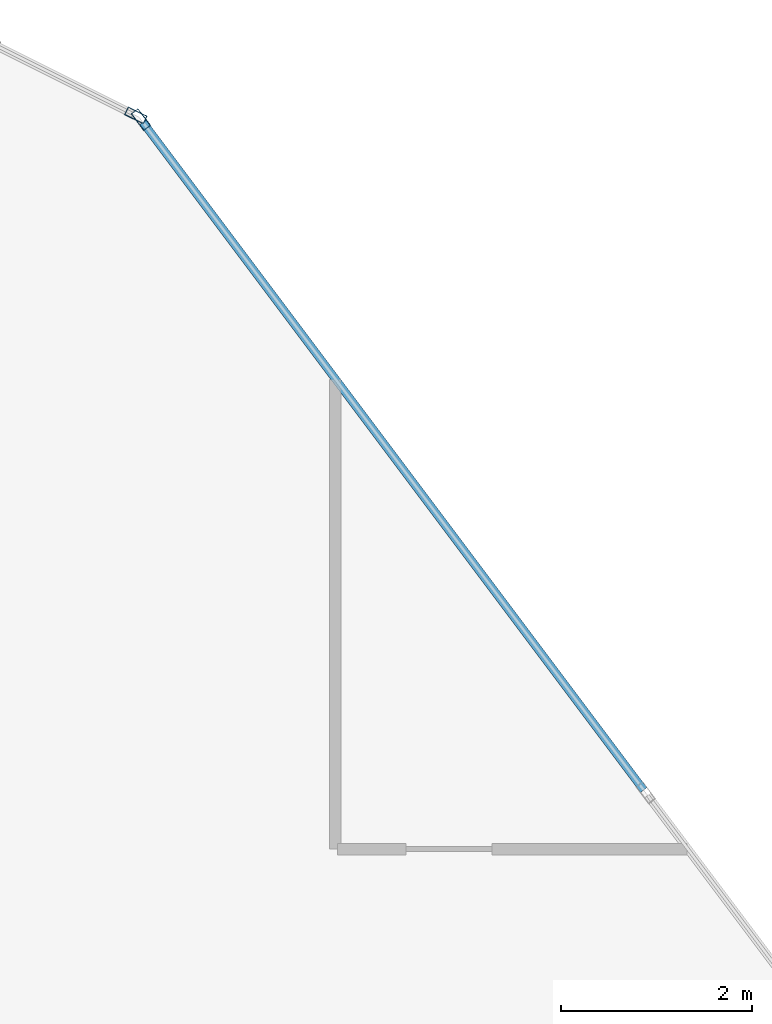
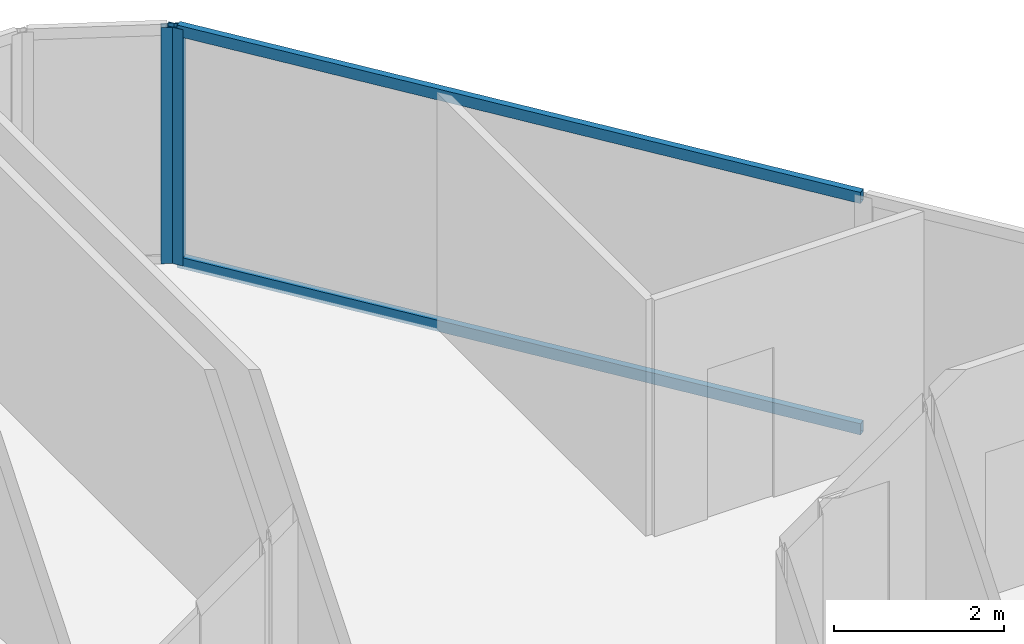
# One storey, part 17 of 33: 4 members, 2 elements without a shape of their own.
"""IFC4 building model written with IfcOpenShell, lengths in metres."""

import ifcopenshell
import ifcopenshell.guid

model = None  # the IFC model being written
_history = None  # IfcOwnerHistory: only IFC2X3 demands one
_inside = {}  # id of a spatial element -> (the spatial element, [elements in it])
_under = {}  # id of a project, library or spatial element -> (it, [spatial elements below it])
_declared = {}  # id of a project -> (the project, [libraries it declares])
_typed = {}  # id of a type object -> (the type object, [elements of that type])
_made_of = {}  # id of a material, layer set ... -> (it, [elements and type objects made of it])


def new_model(schema):
    """Start an empty IFC model of exactly this schema.

    Asked for "IFC4X3", IfcOpenShell would pick the latest addendum, in which some entities
    have other attributes; the version numbers below select the first issue.
    IFC2X3 requires an IfcOwnerHistory on every rooted entity: one is made here for all.
    """
    global model, _history
    if schema == "IFC4X3":
        model = ifcopenshell.file(schema_version=(4, 3, 0, 0))
    else:
        model = ifcopenshell.file(schema=schema)
    _inside.clear()
    _under.clear()
    _declared.clear()
    _typed.clear()
    _made_of.clear()
    _history = None
    if model.schema == "IFC2X3":
        org = make("IfcOrganization", Name="unknown")
        user = make(
            "IfcPersonAndOrganization",
            ThePerson=make("IfcPerson", FamilyName="unknown"),
            TheOrganization=org,
        )
        app = make(
            "IfcApplication",
            ApplicationDeveloper=org,
            Version="unknown",
            ApplicationFullName="unknown",
            ApplicationIdentifier="unknown",
        )
        _history = make(
            "IfcOwnerHistory",
            OwningUser=user,
            OwningApplication=app,
            ChangeAction="ADDED",
            CreationDate=0,
        )
    return model


def make(cls, **values):
    """One entity of the class cls with the attributes given. An attribute that is None is left unset."""
    return model.create_entity(
        cls, **{name: value for name, value in values.items() if value is not None}
    )


def rooted(cls, **values):
    """An entity with a GlobalId (a new one), such as an element, a storey or a relation."""
    return make(cls, GlobalId=ifcopenshell.guid.new(), OwnerHistory=_history, **values)


def si_unit(unit_type, name, prefix=None):
    """IfcSIUnit, for example si_unit("LENGTHUNIT", "METRE", prefix="MILLI")."""
    return make("IfcSIUnit", UnitType=unit_type, Prefix=prefix, Name=name)


def assignment(units):
    """IfcUnitAssignment: the units of a project."""
    return None if units is None else make("IfcUnitAssignment", Units=units)


def point(xyz):
    """IfcCartesianPoint."""
    return None if xyz is None else make("IfcCartesianPoint", Coordinates=xyz)


def direction(xyz):
    """IfcDirection."""
    return None if xyz is None else make("IfcDirection", DirectionRatios=xyz)


def frame(location, z_axis=None, x_axis=None):
    """IfcAxis2Placement3D, a coordinate frame: its origin and axes. An axis left out is left unset."""
    return make(
        "IfcAxis2Placement3D",
        Location=point(location),
        Axis=direction(z_axis),
        RefDirection=direction(x_axis),
    )


def frame_2d(location, x_axis=None):
    """IfcAxis2Placement2D, a coordinate frame in the plane: its origin and x axis."""
    return make(
        "IfcAxis2Placement2D", Location=point(location), RefDirection=direction(x_axis)
    )


def origin():
    """The frame at (0, 0, 0) with its axes left unset."""
    return frame((0.0, 0.0, 0.0))


def origin_2d():
    """The frame at (0, 0) in the plane with its x axis left unset."""
    return frame_2d((0.0, 0.0))


def place(relative_to, where):
    """IfcLocalPlacement: puts the frame where relative to a parent placement (None: the world)."""
    return make(
        "IfcLocalPlacement", PlacementRelTo=relative_to, RelativePlacement=where
    )


def context(
    kind, dimensions, precision=None, world=None, true_north=None, identifier=None
):
    """IfcGeometricRepresentationContext, for example the 3D "Model" context."""
    return make(
        "IfcGeometricRepresentationContext",
        ContextIdentifier=identifier,
        ContextType=kind,
        CoordinateSpaceDimension=dimensions,
        Precision=precision,
        WorldCoordinateSystem=world,
        TrueNorth=true_north,
    )


def subcontext(parent, identifier, kind, view, scale=None):
    """IfcGeometricRepresentationSubContext, for example "Body" below "Model"."""
    return make(
        "IfcGeometricRepresentationSubContext",
        ContextIdentifier=identifier,
        ContextType=kind,
        ParentContext=parent,
        TargetScale=scale,
        TargetView=view,
    )


def project(units=None, contexts=None):
    """IfcProject with its units and contexts."""
    return rooted(
        "IfcProject",
        Name="project",
        RepresentationContexts=contexts,
        UnitsInContext=assignment(units),
    )


def spatial(cls, under=None, at=None, **own):
    """A site, building, storey or space (cls), placed at a placement, below another one or the project."""
    s = rooted(cls, ObjectPlacement=at, **own)
    if under is not None:
        _under.setdefault(under.id(), (under, []))[1].append(s)
    return s


def profile(cls, at=None, kind="AREA", **sizes):
    """A parametric profile (cls). Its sizes go by their IFC names, for example OverallWidth=200.0."""
    return make(cls, ProfileType=kind, Position=at, **sizes)


def hollow_rectangle(**sizes):
    """IfcRectangleHollowProfileDef."""
    return profile("IfcRectangleHollowProfileDef", **sizes)


def extrude(swept, where, along, depth):
    """IfcExtrudedAreaSolid: the profile swept, set in the frame where, extruded along a direction by depth."""
    return make(
        "IfcExtrudedAreaSolid",
        SweptArea=swept,
        Position=where,
        ExtrudedDirection=direction(along),
        Depth=depth,
    )


def shape(context_of_items, identifier, shape_type, items):
    """IfcShapeRepresentation: the items that make up one representation, for example the "Body"."""
    return make(
        "IfcShapeRepresentation",
        ContextOfItems=context_of_items,
        RepresentationIdentifier=identifier,
        RepresentationType=shape_type,
        Items=items,
    )


def material(Name=None, Category=None):
    """IfcMaterial."""
    return make("IfcMaterial", Name=Name, Category=Category)


def layer(
    of_material, thickness, ventilated=None, Name=None, Category=None, Priority=None
):
    """IfcMaterialLayer: one layer of a wall or slab, of a material (None: an air gap)."""
    return make(
        "IfcMaterialLayer",
        Material=of_material,
        LayerThickness=thickness,
        IsVentilated=ventilated,
        Name=Name,
        Category=Category,
        Priority=Priority,
    )


def layer_set(layers, Name=None):
    """IfcMaterialLayerSet."""
    return make("IfcMaterialLayerSet", MaterialLayers=layers, LayerSetName=Name)


def material_profile(
    of_material, cross_section, Name=None, Category=None, Priority=None
):
    """IfcMaterialProfile: a cross section and its material."""
    return make(
        "IfcMaterialProfile",
        Name=Name,
        Material=of_material,
        Profile=cross_section,
        Priority=Priority,
        Category=Category,
    )


def profile_set(profiles, Name=None, composite=None):
    """IfcMaterialProfileSet."""
    return make(
        "IfcMaterialProfileSet",
        Name=Name,
        MaterialProfiles=profiles,
        CompositeProfile=composite,
    )


def made_of(thing, what):
    """Note that an element or type object is made of a material, layer set ...; save() writes the relation."""
    if what is not None:
        _made_of.setdefault(what.id(), (what, []))[1].append(thing)
    return thing


def type_object(cls, material=None, **own):
    """A type object (cls), such as IfcWallType, which elements share."""
    return made_of(rooted(cls, **own), material)


def element(
    cls,
    number,
    at=None,
    inside=None,
    cuts=None,
    type_object=None,
    material=None,
    context=None,
    identifier="Body",
    shape_type=None,
    held_by="IfcProductDefinitionShape",
    body=None,
    shapes=None,
    **own,
):
    """One element of the class cls, such as IfcWall. Its Tag is "e" and its number.

    at: its placement. inside: the storey or other place that contains it. cuts: it is an
    opening in that element (IfcRelVoidsElement). A single representation is given by context,
    identifier, shape_type and body (its items); several are given by shapes. held_by: the class
    of the entity that holds the representations. save() writes the other relations.
    """
    e = rooted(cls, Tag="e%d" % number, ObjectPlacement=at, **own)
    if body is not None:
        shapes = [shape(context, identifier, shape_type, body)]
    if shapes is not None:
        e.Representation = make(held_by, Representations=shapes)
    if inside is not None:
        _inside.setdefault(inside.id(), (inside, []))[1].append(e)
    if cuts is not None:
        rooted(
            "IfcRelVoidsElement", RelatingBuildingElement=cuts, RelatedOpeningElement=e
        )
    if type_object is not None:
        _typed.setdefault(type_object.id(), (type_object, []))[1].append(e)
    return made_of(e, material)


def aggregate(whole, parts):
    """IfcRelAggregates: a whole, such as a stair, and the parts it consists of."""
    return rooted("IfcRelAggregates", RelatingObject=whole, RelatedObjects=parts)


def save(model, path):
    """Write the relations noted so far, then the file.

    IfcRelAggregates (storeys below a building ...), IfcRelContainedInSpatialStructure (elements
    in a storey), IfcRelDefinesByType, IfcRelAssociatesMaterial and IfcRelDeclares: one each for
    every whole, place, type object, material and project.
    """
    for whole, parts in _under.values():
        aggregate(whole, parts)
    for where, things in _inside.values():
        rooted(
            "IfcRelContainedInSpatialStructure",
            RelatedElements=things,
            RelatingStructure=where,
        )
    for kind, things in _typed.values():
        rooted("IfcRelDefinesByType", RelatedObjects=things, RelatingType=kind)
    for what, things in _made_of.values():
        rooted("IfcRelAssociatesMaterial", RelatedObjects=things, RelatingMaterial=what)
    for by, libraries in _declared.values():
        rooted("IfcRelDeclares", RelatingContext=by, RelatedDefinitions=libraries)
    model.write(path)


model = new_model("IFC4")

# Units and contexts
model_context = context("Model", 3, precision=1e-05, world=origin(), true_north=direction((0.0, 1.0)))
body_context = subcontext(model_context, "Body", "Model", "MODEL_VIEW")
ifc_project = project(units=[si_unit("LENGTHUNIT", "METRE"), si_unit("AREAUNIT", "SQUARE_METRE"), si_unit("VOLUMEUNIT", "CUBIC_METRE"), si_unit("PLANEANGLEUNIT", "RADIAN"), si_unit("MASSUNIT", "GRAM", prefix="KILO")], contexts=[model_context])

# Site, building, storey
site_placement = place(None, origin())
site = spatial("IfcSite", under=ifc_project, at=site_placement, CompositionType="ELEMENT")
building_placement = place(site_placement, origin())
building = spatial("IfcBuilding", under=site, at=building_placement, Name="Keshet Zoharim Tower", CompositionType="ELEMENT")
storey_placement = place(building_placement, frame((0.0, 0.0, 42.5)))
storey = spatial("IfcBuildingStorey", under=building, at=storey_placement, Name="L09", CompositionType="ELEMENT", Elevation=42.5)

# Curtain wall, member
ifc_material = material(Name="Aluminium 6063-T6", Category="aluminium")
ifc_layer = layer(ifc_material, 0.169921875)
ifc_layer_set = layer_set([ifc_layer], Name="Aluminium 6063-T6")
curtain_wall_type = type_object("IfcCurtainWallType", Name="CW-SYS-02", PredefinedType="NOTDEFINED", material=ifc_layer_set)
curtain_wall_1_placement = place(storey_placement, origin())
curtain_wall_1 = element("IfcCurtainWall", 1, at=curtain_wall_1_placement, inside=storey, type_object=curtain_wall_type, Name="L09 Unitised Curtain Wall 08", PredefinedType="NOTDEFINED")
ifc_material_profile_1 = material_profile(ifc_material, hollow_rectangle(XDim=0.090087890625, YDim=0.219970703125, WallThickness=0.0048828125, at=origin_2d()), Name="MUL-90x220")
ifc_profile_set_1 = profile_set([ifc_material_profile_1], Name="Aluminium 6063-T6")
member_type_1 = type_object("IfcMemberType", Name="CWM-M22", PredefinedType="MULLION", material=ifc_profile_set_1)
member_1_placement = place(storey_placement, frame((51.568603515625, 53.11572265625, 0.0), z_axis=(0.0, 0.0, 1.0), x_axis=(0.447213595499, 0.894427191001, 0.0)))
member_1 = element("IfcMember", 2, at=member_1_placement, type_object=member_type_1, Name="CW-02 mullion 2", PredefinedType="MULLION", context=body_context, shape_type="SweptSolid", body=[
    extrude(hollow_rectangle(XDim=0.090087890625, YDim=0.219970703125, WallThickness=0.0048828125, at=origin_2d()), origin(), (0.0, 0.0, 1.0), 3.385009765625),
])
aggregate(curtain_wall_1, [member_1])

# Curtain wall, members
curtain_wall_2_placement = place(storey_placement, origin())
curtain_wall_2 = element("IfcCurtainWall", 3, at=curtain_wall_2_placement, inside=storey, type_object=curtain_wall_type, Name="L09 Unitised Curtain Wall 09", PredefinedType="NOTDEFINED")
member_2_placement = place(storey_placement, frame((51.62109375, 53.072021484375, 0.0), z_axis=(0.0, 0.0, 1.0), x_axis=(0.799999999998, 0.600000000002, 0.0)))
member_2 = element("IfcMember", 4, at=member_2_placement, type_object=member_type_1, Name="CW-02 mullion 1", PredefinedType="MULLION", context=body_context, shape_type="SweptSolid", body=[
    extrude(hollow_rectangle(XDim=0.090087890625, YDim=0.219970703125, WallThickness=0.0048828125, at=origin_2d()), origin(), (0.0, 0.0, 1.0), 3.385009765625),
])
ifc_material_profile_2 = material_profile(ifc_material, hollow_rectangle(XDim=0.0849609375, YDim=0.159912109375, WallThickness=0.00439453125, at=origin_2d()), Name="TRN-85x160")
ifc_profile_set_2 = profile_set([ifc_material_profile_2], Name="Aluminium 6063-T6")
member_type_2 = type_object("IfcMemberType", Name="CWT-T16", PredefinedType="USERDEFINED", material=ifc_profile_set_2)
member_3_placement = place(storey_placement, frame((51.64208984375, 53.0439453125, 0.034912109375), z_axis=(0.599991043201, -0.800006717521, 0.0), x_axis=(0.800006717521, 0.599991043201, 0.0)))
member_3 = element("IfcMember", 5, at=member_3_placement, type_object=member_type_2, Name="CW-02 transom 1.1", ObjectType="TRANSOM", PredefinedType="USERDEFINED", context=body_context, shape_type="SweptSolid", body=[
    extrude(hollow_rectangle(XDim=0.0849609375, YDim=0.159912109375, WallThickness=0.00439453125, at=origin_2d()), origin(), (0.0, 0.0, 1.0), 8.722412109375),
])
member_4_placement = place(storey_placement, frame((51.64208984375, 53.0439453125, 3.35009765625), z_axis=(0.599991043201, -0.800006717521, 0.0), x_axis=(0.800006717521, 0.599991043201, 0.0)))
member_4 = element("IfcMember", 6, at=member_4_placement, type_object=member_type_2, Name="CW-02 transom 1.2", ObjectType="TRANSOM", PredefinedType="USERDEFINED", context=body_context, shape_type="SweptSolid", body=[
    extrude(hollow_rectangle(XDim=0.0849609375, YDim=0.159912109375, WallThickness=0.00439453125, at=origin_2d()), origin(), (0.0, 0.0, 1.0), 8.722412109375),
])
aggregate(curtain_wall_2, [member_2, member_3, member_4])

save(model, "model.ifc")
